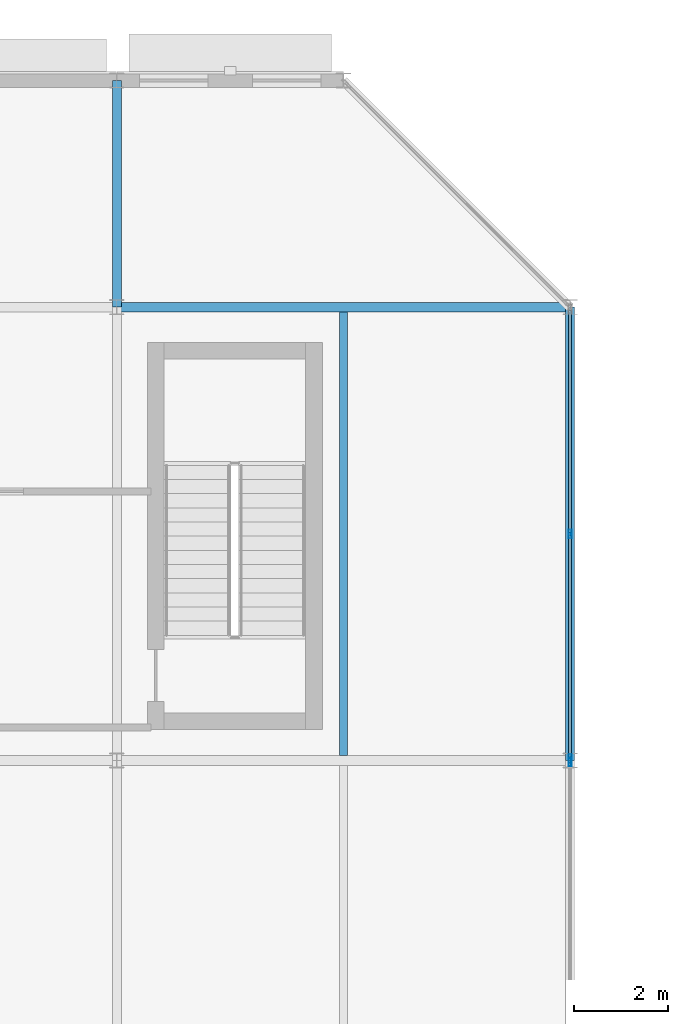
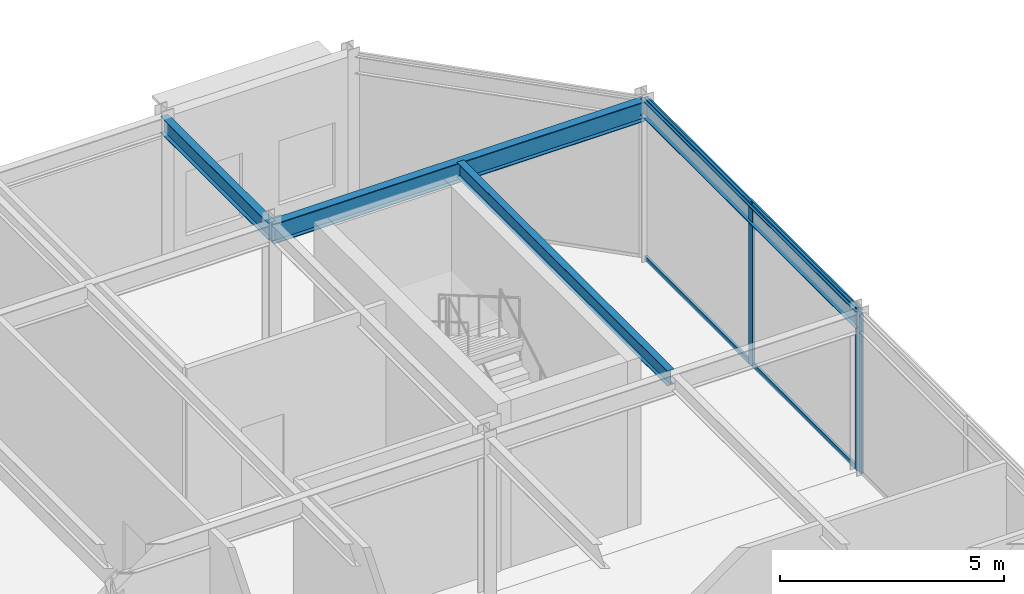
# One storey, part 36 of 89: 7 members, 4 beams, 2 elements without a shape of their own.
"""IFC4 building model written with IfcOpenShell, lengths in metres."""

from ifc_helpers import new_model, si_unit, direction, frame, origin, origin_2d, place, context, subcontext, project, spatial, hollow_rectangle, i_section, extrude, material, material_profile, profile_set, type_object, element, aggregate, save


model = new_model("IFC4")

# Units and contexts
model_context = context("Model", 3, precision=1e-05, world=origin(), true_north=direction((0.0, 1.0)))
body_context = subcontext(model_context, "Body", "Model", "MODEL_VIEW")
ifc_project = project(units=[si_unit("LENGTHUNIT", "METRE"), si_unit("AREAUNIT", "SQUARE_METRE"), si_unit("VOLUMEUNIT", "CUBIC_METRE"), si_unit("PLANEANGLEUNIT", "RADIAN"), si_unit("MASSUNIT", "GRAM", prefix="KILO")], contexts=[model_context])

# Site, building, storey
site_placement = place(None, origin())
site = spatial("IfcSite", under=ifc_project, at=site_placement, CompositionType="ELEMENT")
building_placement = place(site_placement, origin())
building = spatial("IfcBuilding", under=site, at=building_placement, Name="Almandine Court Research Institute", CompositionType="ELEMENT")
storey_placement = place(building_placement, frame((0.0, 0.0, 18.89990234375)))
storey = spatial("IfcBuildingStorey", under=building, at=storey_placement, Name="L04", CompositionType="ELEMENT", Elevation=18.89990234375)

# Beams
ifc_material_1 = material(Name="Steel ASTM A992 Grade 50", Category="steel")
ifc_material_profile_1 = material_profile(ifc_material_1, i_section(OverallWidth=0.18994140625, OverallDepth=0.45703125, WebThickness=0.009033203125, FlangeThickness=0.014892578125, at=origin_2d()), Name="W460x74")
ifc_profile_set_1 = profile_set([ifc_material_profile_1], Name="Steel ASTM A992 Grade 50")
beam_type_1 = type_object("IfcBeamType", Name="Beam-B-01", PredefinedType="BEAM", material=ifc_profile_set_1)
beam_1_placement = place(storey_placement, frame((25.199951171875, 112.800048828125, 4.09521484375), z_axis=(0.0, 1.0, 0.0), x_axis=(-1.0, 0.0, 0.0)))
element("IfcBeam", 1, at=beam_1_placement, inside=storey, type_object=beam_type_1, Name="L04 V3 Primary Y Girder", PredefinedType="BEAM", context=body_context, shape_type="SweptSolid", body=[
    extrude(i_section(OverallWidth=0.18994140625, OverallDepth=0.45703125, WebThickness=0.009033203125, FlangeThickness=0.014892578125, at=origin_2d()), origin(), (0.0, 0.0, 1.0), 4.800048828125),
])
ifc_material_profile_2 = material_profile(ifc_material_1, i_section(OverallWidth=0.178955078125, OverallDepth=0.409912109375, WebThickness=0.009033203125, FlangeThickness=0.013916015625, at=origin_2d()), Name="W410x67")
ifc_profile_set_2 = profile_set([ifc_material_profile_2], Name="Steel ASTM A992 Grade 50")
beam_type_2 = type_object("IfcBeamType", Name="Beam-B-02", PredefinedType="JOIST", material=ifc_profile_set_2)
beam_2_placement = place(storey_placement, frame((30.0, 103.302978515625, 4.1650390625), z_axis=(0.0, 1.0, 0.0), x_axis=(-1.0, 0.0, 0.0)))
element("IfcBeam", 2, at=beam_2_placement, inside=storey, type_object=beam_type_2, Name="L04 V3 Composite Secondary Beam", PredefinedType="JOIST", context=body_context, shape_type="SweptSolid", body=[
    extrude(i_section(OverallWidth=0.178955078125, OverallDepth=0.409912109375, WebThickness=0.009033203125, FlangeThickness=0.013916015625, at=origin_2d()), origin(), (0.0, 0.0, 1.0), 9.39404296875),
])
ifc_material_profile_3 = material_profile(ifc_material_1, i_section(OverallWidth=0.2109375, OverallDepth=0.5390625, WebThickness=0.011962890625, FlangeThickness=0.01904296875, at=origin_2d()), Name="W530x109")
ifc_profile_set_3 = profile_set([ifc_material_profile_3], Name="Steel ASTM A992 Grade 50")
beam_type_3 = type_object("IfcBeamType", Name="Beam-G-04", PredefinedType="BEAM", material=ifc_profile_set_3)
beam_3_placement = place(storey_placement, frame((25.199951171875, 112.800048828125, 4.05419921875), z_axis=(1.0, 0.0, 0.0), x_axis=(0.0, 1.0, 0.0)))
element("IfcBeam", 3, at=beam_3_placement, inside=storey, type_object=beam_type_3, Name="L04 V3 Primary X Girder", PredefinedType="BEAM", context=body_context, shape_type="SweptSolid", body=[
    extrude(i_section(OverallWidth=0.2109375, OverallDepth=0.5390625, WebThickness=0.011962890625, FlangeThickness=0.01904296875, at=origin_2d()), origin(), (0.0, 0.0, 1.0), 9.60009765625),
])
ifc_material_profile_4 = material_profile(ifc_material_1, i_section(OverallWidth=0.193115234375, OverallDepth=0.466064453125, WebThickness=0.010986328125, FlangeThickness=0.01904296875, at=origin_2d()), Name="W460x97")
ifc_profile_set_4 = profile_set([ifc_material_profile_4], Name="Steel ASTM A992 Grade 50")
beam_type_4 = type_object("IfcBeamType", Name="Beam-G-06-E", PredefinedType="SPANDREL", material=ifc_profile_set_4)
beam_4_placement = place(storey_placement, frame((34.800048828125, 103.199951171875, 4.13720703125), z_axis=(0.0, 1.0, 0.0), x_axis=(-1.0, 0.0, 0.0)))
element("IfcBeam", 4, at=beam_4_placement, inside=storey, type_object=beam_type_4, Name="L04 V3 Primary Y Girder", PredefinedType="SPANDREL", context=body_context, shape_type="SweptSolid", body=[
    extrude(i_section(OverallWidth=0.193115234375, OverallDepth=0.466064453125, WebThickness=0.010986328125, FlangeThickness=0.01904296875, at=origin_2d()), origin(), (0.0, 0.0, 1.0), 9.60009765625),
])

# Curtain wall, member
ifc_material_2 = material(Name="Unitised Curtain Wall Framing and Solar Glazing", Category="glass")
curtain_wall_type = type_object("IfcCurtainWallType", Name="CW-CWJ-09", PredefinedType="USERDEFINED", material=ifc_material_2)
curtain_wall_1_placement = place(storey_placement, origin())
curtain_wall_1 = element("IfcCurtainWall", 5, at=curtain_wall_1_placement, inside=storey, type_object=curtain_wall_type, Name="L04 Cleanroom East Courtyard Jali Screen 2", ObjectType="SOLAR JALI SCREEN", PredefinedType="USERDEFINED")
ifc_material_3 = material(Name="Anodised Aluminium AW-6063-T6", Category="aluminium")
ifc_material_profile_5 = material_profile(ifc_material_3, hollow_rectangle(XDim=0.06494140625, YDim=0.179931640625, WallThickness=0.00390625, at=origin_2d()), Name="ALU RHS 65x180x4")
ifc_profile_set_5 = profile_set([ifc_material_profile_5], Name="Anodised Aluminium AW-6063-T6")
member_type_1 = type_object("IfcMemberType", Name="CWMul-65x180", PredefinedType="MULLION", material=ifc_profile_set_5)
member_1_placement = place(storey_placement, frame((34.800048828125, 103.16357421875, 0.0), z_axis=(0.0, 0.0, 1.0), x_axis=(1.0, 0.0, 0.0)))
member_1 = element("IfcMember", 6, at=member_1_placement, type_object=member_type_1, Name="CWJ-09 mullion 1", PredefinedType="MULLION", context=body_context, shape_type="SweptSolid", body=[
    extrude(hollow_rectangle(XDim=0.06494140625, YDim=0.179931640625, WallThickness=0.00390625, at=origin_2d()), origin(), (0.0, 0.0, 1.0), 4.3701171875),
])
aggregate(curtain_wall_1, [member_1])

# Curtain wall, members
curtain_wall_2_placement = place(storey_placement, origin())
curtain_wall_2 = element("IfcCurtainWall", 7, at=curtain_wall_2_placement, inside=storey, type_object=curtain_wall_type, Name="L04 Cleanroom East Courtyard Jali Screen 3", ObjectType="SOLAR JALI SCREEN", PredefinedType="USERDEFINED")
member_2_placement = place(storey_placement, frame((34.800048828125, 108.0, 0.0), z_axis=(0.0, 0.0, 1.0), x_axis=(1.0, 0.0, 0.0)))
member_2 = element("IfcMember", 8, at=member_2_placement, type_object=member_type_1, Name="CWJ-09 mullion 2", PredefinedType="MULLION", context=body_context, shape_type="SweptSolid", body=[
    extrude(hollow_rectangle(XDim=0.06494140625, YDim=0.179931640625, WallThickness=0.00390625, at=origin_2d()), origin(), (0.0, 0.0, 1.0), 4.3701171875),
])
member_3_placement = place(storey_placement, frame((34.800048828125, 103.236572265625, 0.0), z_axis=(0.0, 0.0, 1.0), x_axis=(1.0, 0.0, 0.0)))
member_3 = element("IfcMember", 9, at=member_3_placement, type_object=member_type_1, Name="CWJ-09 mullion 3", PredefinedType="MULLION", context=body_context, shape_type="SweptSolid", body=[
    extrude(hollow_rectangle(XDim=0.06494140625, YDim=0.179931640625, WallThickness=0.00390625, at=origin_2d()), origin(), (0.0, 0.0, 1.0), 4.3701171875),
])
ifc_material_profile_6 = material_profile(ifc_material_3, hollow_rectangle(XDim=0.06494140625, YDim=0.1298828125, WallThickness=0.00390625, at=origin_2d()), Name="ALU RHS 65x130x4")
ifc_profile_set_6 = profile_set([ifc_material_profile_6], Name="Anodised Aluminium AW-6063-T6")
member_type_2 = type_object("IfcMemberType", Name="CWTrn-65x130", PredefinedType="NOTDEFINED", material=ifc_profile_set_6)
member_4_placement = place(storey_placement, frame((34.800048828125, 112.73095703125, 0.03271484375), z_axis=(0.0, -1.0, 0.0), x_axis=(1.0, 0.0, 0.0)))
member_4 = element("IfcMember", 10, at=member_4_placement, type_object=member_type_2, Name="CWJ-09 transom 1.1", ObjectType="TRANSOM", PredefinedType="USERDEFINED", context=body_context, shape_type="SweptSolid", body=[
    extrude(hollow_rectangle(XDim=0.06494140625, YDim=0.1298828125, WallThickness=0.00390625, at=origin_2d()), origin(), (0.0, 0.0, 1.0), 4.698486328125),
])
member_5_placement = place(storey_placement, frame((34.800048828125, 112.73095703125, 4.337646484375), z_axis=(0.0, -1.0, 0.0), x_axis=(1.0, 0.0, 0.0)))
member_5 = element("IfcMember", 11, at=member_5_placement, type_object=member_type_2, Name="CWJ-09 transom 1.2", ObjectType="TRANSOM", PredefinedType="USERDEFINED", context=body_context, shape_type="SweptSolid", body=[
    extrude(hollow_rectangle(XDim=0.06494140625, YDim=0.1298828125, WallThickness=0.00390625, at=origin_2d()), origin(), (0.0, 0.0, 1.0), 4.698486328125),
])
member_6_placement = place(storey_placement, frame((34.800048828125, 107.967529296875, 0.03271484375), z_axis=(0.0, -1.0, 0.0), x_axis=(1.0, 0.0, 0.0)))
member_6 = element("IfcMember", 12, at=member_6_placement, type_object=member_type_2, Name="CWJ-09 transom 2.1", ObjectType="TRANSOM", PredefinedType="USERDEFINED", context=body_context, shape_type="SweptSolid", body=[
    extrude(hollow_rectangle(XDim=0.06494140625, YDim=0.1298828125, WallThickness=0.00390625, at=origin_2d()), origin(), (0.0, 0.0, 1.0), 4.698486328125),
])
member_7_placement = place(storey_placement, frame((34.800048828125, 107.967529296875, 4.337646484375), z_axis=(0.0, -1.0, 0.0), x_axis=(1.0, 0.0, 0.0)))
member_7 = element("IfcMember", 13, at=member_7_placement, type_object=member_type_2, Name="CWJ-09 transom 2.2", ObjectType="TRANSOM", PredefinedType="USERDEFINED", context=body_context, shape_type="SweptSolid", body=[
    extrude(hollow_rectangle(XDim=0.06494140625, YDim=0.1298828125, WallThickness=0.00390625, at=origin_2d()), origin(), (0.0, 0.0, 1.0), 4.698486328125),
])
aggregate(curtain_wall_2, [member_2, member_3, member_4, member_5, member_6, member_7])

save(model, "model.ifc")
